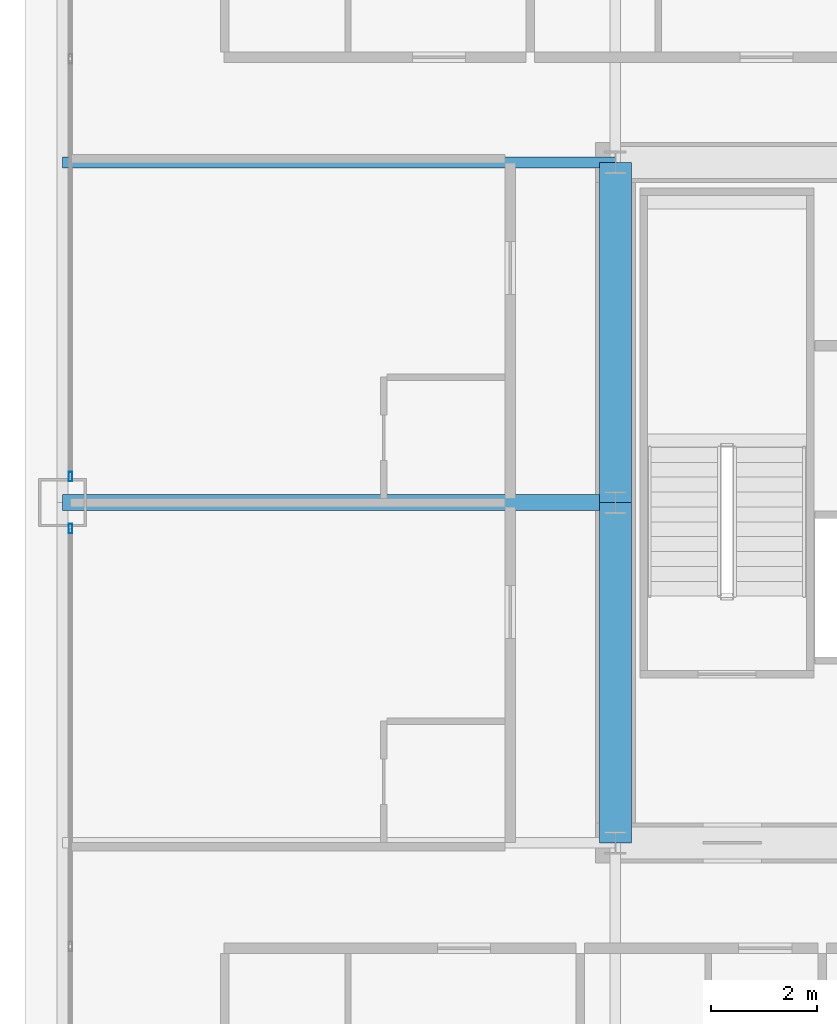
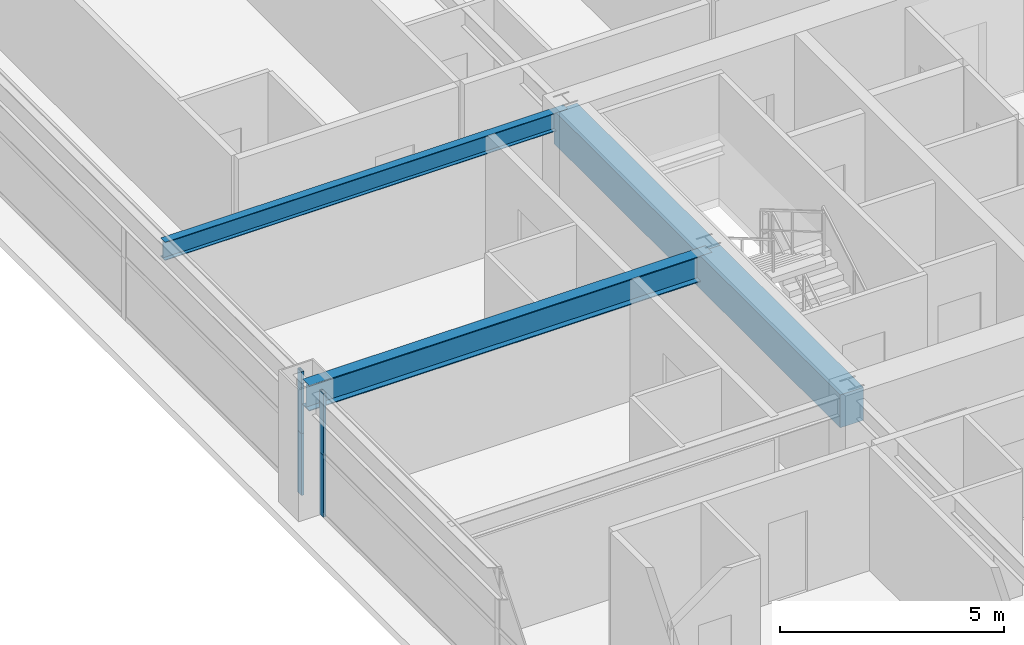
# One storey, part 11 of 38: 4 beams, 4 members, 2 elements without a shape of their own.
"""IFC4 building model written with IfcOpenShell, lengths in metres."""

from ifc_helpers import new_model, si_unit, direction, frame, origin, origin_2d, place, context, subcontext, project, spatial, rectangle, hollow_rectangle, i_section, extrude, source, transform, mapped, material, layer, layer_set, material_profile, profile_set, type_object, element, aggregate, save


model = new_model("IFC4")

# Units and contexts
model_context = context("Model", 3, precision=1e-05, world=origin(), true_north=direction((0.0, 1.0)))
body_context = subcontext(model_context, "Body", "Model", "MODEL_VIEW")
ifc_project = project(units=[si_unit("LENGTHUNIT", "METRE"), si_unit("AREAUNIT", "SQUARE_METRE"), si_unit("VOLUMEUNIT", "CUBIC_METRE"), si_unit("PLANEANGLEUNIT", "RADIAN"), si_unit("MASSUNIT", "GRAM", prefix="KILO"), si_unit("THERMODYNAMICTEMPERATUREUNIT", "KELVIN"), si_unit("POWERUNIT", "WATT")], contexts=[model_context])

# Site, building, storey
site_placement = place(None, origin())
site = spatial("IfcSite", under=ifc_project, at=site_placement, CompositionType="ELEMENT")
building_placement = place(site_placement, origin())
building = spatial("IfcBuilding", under=site, at=building_placement, Name="Yuzanri Waterfront Tower", CompositionType="ELEMENT")
storey_placement = place(building_placement, frame((0.0, 0.0, 90.199951171875)))
storey = spatial("IfcBuildingStorey", under=building, at=storey_placement, Name="L23", CompositionType="ELEMENT", Elevation=90.199951171875)

# Beams
ifc_material_1 = material(Name="Concrete C60", Category="concrete")
ifc_material_profile_1 = material_profile(ifc_material_1, rectangle(XDim=0.60009765625, YDim=0.89990234375, at=origin_2d()), Name="RC 600x900")
ifc_profile_set_1 = profile_set([ifc_material_profile_1], Name="Concrete C60")
beam_type_1 = type_object("IfcBeamType", Name="Core Coupling Lintel Concrete C60 600x900", PredefinedType="LINTEL", material=ifc_profile_set_1)
shared_shape_1 = source(origin(), body_context, "Body", "SweptSolid", [
    extrude(rectangle(XDim=0.60009765625, YDim=0.89990234375, at=origin_2d()), origin(), (0.0, 0.0, 1.0), 6.400146484375),
])
beam_1_placement = place(storey_placement, frame((23.800048828125, 19.39990234375, 2.929931640625), z_axis=(0.0, 1.0, 0.0), x_axis=(-1.0, 0.0, 0.0)))
element("IfcBeam", 1, at=beam_1_placement, inside=storey, type_object=beam_type_1, Name="L23 Core Tie Beam CW1", PredefinedType="LINTEL", context=body_context, shape_type="MappedRepresentation", body=[
    mapped(shared_shape_1, transform((0.0, 0.0, 0.0), scale=1.0)),
])
shared_shape_2 = source(origin(), body_context, "Body", "SweptSolid", [
    extrude(rectangle(XDim=0.60009765625, YDim=0.89990234375, at=origin_2d()), origin(), (0.0, 0.0, 1.0), 6.39990234375),
])
beam_2_placement = place(storey_placement, frame((23.800048828125, 25.800048828125, 2.929931640625), z_axis=(0.0, 1.0, 0.0), x_axis=(-1.0, 0.0, 0.0)))
element("IfcBeam", 2, at=beam_2_placement, inside=storey, type_object=beam_type_1, Name="L23 Core Tie Beam CW2", PredefinedType="LINTEL", context=body_context, shape_type="MappedRepresentation", body=[
    mapped(shared_shape_2, transform((0.0, 0.0, 0.0), scale=1.0)),
])
ifc_material_2 = material(Name="Steel Q355B", Category="steel")
ifc_material_profile_2 = material_profile(ifc_material_2, i_section(OverallWidth=0.300048828125, OverallDepth=0.699951171875, WebThickness=0.012939453125, FlangeThickness=0.02392578125, at=origin_2d()), Name="HN 700x300x13x24")
ifc_profile_set_2 = profile_set([ifc_material_profile_2], Name="Steel Q355B")
beam_type_2 = type_object("IfcBeamType", Name="Primary Floor Girder Q355B HN 700x300", PredefinedType="BEAM", material=ifc_profile_set_2)
shared_shape_3 = source(origin(), body_context, "Body", "SweptSolid", [
    extrude(i_section(OverallWidth=0.300048828125, OverallDepth=0.699951171875, WebThickness=0.012939453125, FlangeThickness=0.02392578125, at=origin_2d()), origin(), (0.0, 0.0, 1.0), 10.400146484375),
])
beam_3_placement = place(storey_placement, frame((23.800048828125, 25.800048828125, 3.030029296875), z_axis=(-1.0, 0.0, 0.0), x_axis=(0.0, -1.0, 0.0)))
element("IfcBeam", 3, at=beam_3_placement, inside=storey, type_object=beam_type_2, Name="L23 West Grid Girder", PredefinedType="BEAM", context=body_context, shape_type="MappedRepresentation", body=[
    mapped(shared_shape_3, transform((0.0, 0.0, 0.0), scale=1.0)),
])
ifc_material_3 = material(Name="Steel Q355B", Category="steel")
ifc_material_profile_3 = material_profile(ifc_material_3, i_section(OverallWidth=0.199951171875, OverallDepth=0.5, WebThickness=0.010009765625, FlangeThickness=0.01611328125, at=origin_2d()), Name="HN 500x200x10x16")
ifc_profile_set_3 = profile_set([ifc_material_profile_3], Name="Steel Q355B")
beam_type_3 = type_object("IfcBeamType", Name="Secondary Floor Beam Q355B HN 500x200", PredefinedType="BEAM", material=ifc_profile_set_3)
shared_shape_4 = source(origin(), body_context, "Body", "SweptSolid", [
    extrude(i_section(OverallWidth=0.199951171875, OverallDepth=0.5, WebThickness=0.010009765625, FlangeThickness=0.01611328125, at=origin_2d()), origin(), (0.0, 0.0, 1.0), 10.400146484375),
])
beam_4_placement = place(storey_placement, frame((23.800048828125, 32.199951171875, 3.130126953125), z_axis=(-1.0, 0.0, 0.0), x_axis=(0.0, -1.0, 0.0)))
element("IfcBeam", 4, at=beam_4_placement, inside=storey, type_object=beam_type_3, Name="L23 West-North Core Line Beam", PredefinedType="BEAM", context=body_context, shape_type="MappedRepresentation", body=[
    mapped(shared_shape_4, transform((0.0, 0.0, 0.0), scale=1.0)),
])

# Curtain wall, members
ifc_material_4 = material(Name="Anodized Architectural Bronze", Category="metal")
ifc_layer = layer(ifc_material_4, 0.159912109375)
ifc_layer_set = layer_set([ifc_layer], Name="Anodized Architectural Bronze")
curtain_wall_type = type_object("IfcCurtainWallType", Name="Anodized Bronze Hotel Upper-Tier Solar-Control Unitized Curtain Wall 7800", PredefinedType="NOTDEFINED", material=ifc_layer_set)
curtain_wall_1_placement = place(storey_placement, origin())
curtain_wall_1 = element("IfcCurtainWall", 5, at=curtain_wall_1_placement, inside=storey, type_object=curtain_wall_type, Name="L23 Curtain Wall CW-L23-WL", PredefinedType="NOTDEFINED")
ifc_material_5 = material(Name="Anodized Architectural Bronze", Category="metal")
ifc_material_profile_4 = material_profile(ifc_material_5, hollow_rectangle(XDim=0.070068359375, YDim=0.179931640625, WallThickness=0.00390625, at=origin_2d()), Name="CWM 70x180")
ifc_profile_set_4 = profile_set([ifc_material_profile_4], Name="Anodized Architectural Bronze")
member_type = type_object("IfcMemberType", Name="Anodized Bronze Standard Curtain-Wall Mullion 70x180", PredefinedType="MULLION", material=ifc_profile_set_4)
shared_shape_5 = source(origin(), body_context, "Body", "SweptSolid", [
    extrude(hollow_rectangle(XDim=0.070068359375, YDim=0.179931640625, WallThickness=0.00390625, at=origin_2d()), origin(), (0.0, 0.0, 1.0), 1.68798828125),
])
member_1_placement = place(storey_placement, frame((13.550048828125, 25.31005859375, 0.0), z_axis=(0.0, 0.0, 1.0), x_axis=(1.0, 0.0, 0.0)))
member_1 = element("IfcMember", 6, at=member_1_placement, type_object=member_type, Name="CW-L23-WL Lower Mullion 02", PredefinedType="MULLION", context=body_context, shape_type="MappedRepresentation", body=[
    mapped(shared_shape_5, transform((0.0, 0.0, 0.0), scale=1.0)),
])
member_2_placement = place(storey_placement, frame((13.550048828125, 25.31005859375, 1.692138671875), z_axis=(0.0, 0.0, 1.0), x_axis=(1.0, 0.0, 0.0)))
member_2 = element("IfcMember", 7, at=member_2_placement, type_object=member_type, Name="CW-L23-WL Upper Mullion 02", PredefinedType="MULLION", context=body_context, shape_type="MappedRepresentation", body=[
    mapped(shared_shape_5, transform((0.0, 0.0, 0.0), scale=1.0)),
])
aggregate(curtain_wall_1, [member_1, member_2])

curtain_wall_2_placement = place(storey_placement, origin())
curtain_wall_2 = element("IfcCurtainWall", 8, at=curtain_wall_2_placement, inside=storey, type_object=curtain_wall_type, Name="L23 Curtain Wall CW-L23-WR", PredefinedType="NOTDEFINED")
member_3_placement = place(storey_placement, frame((13.550048828125, 26.2900390625, 0.0), z_axis=(0.0, 0.0, 1.0), x_axis=(1.0, 0.0, 0.0)))
member_3 = element("IfcMember", 9, at=member_3_placement, type_object=member_type, Name="CW-L23-WR Lower Mullion 00", PredefinedType="MULLION", context=body_context, shape_type="MappedRepresentation", body=[
    mapped(shared_shape_5, transform((0.0, 0.0, 0.0), scale=1.0)),
])
member_4_placement = place(storey_placement, frame((13.550048828125, 26.2900390625, 1.692138671875), z_axis=(0.0, 0.0, 1.0), x_axis=(1.0, 0.0, 0.0)))
member_4 = element("IfcMember", 10, at=member_4_placement, type_object=member_type, Name="CW-L23-WR Upper Mullion 00", PredefinedType="MULLION", context=body_context, shape_type="MappedRepresentation", body=[
    mapped(shared_shape_5, transform((0.0, 0.0, 0.0), scale=1.0)),
])
aggregate(curtain_wall_2, [member_3, member_4])

save(model, "model.ifc")
